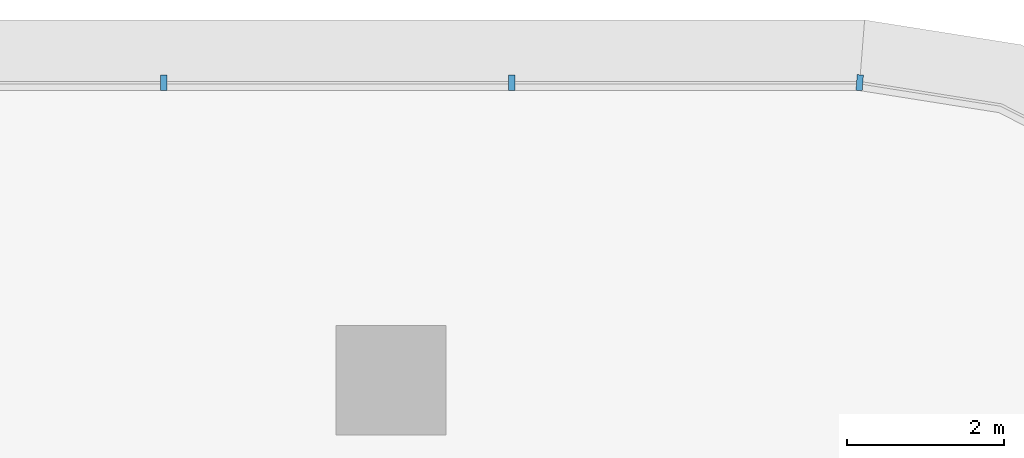
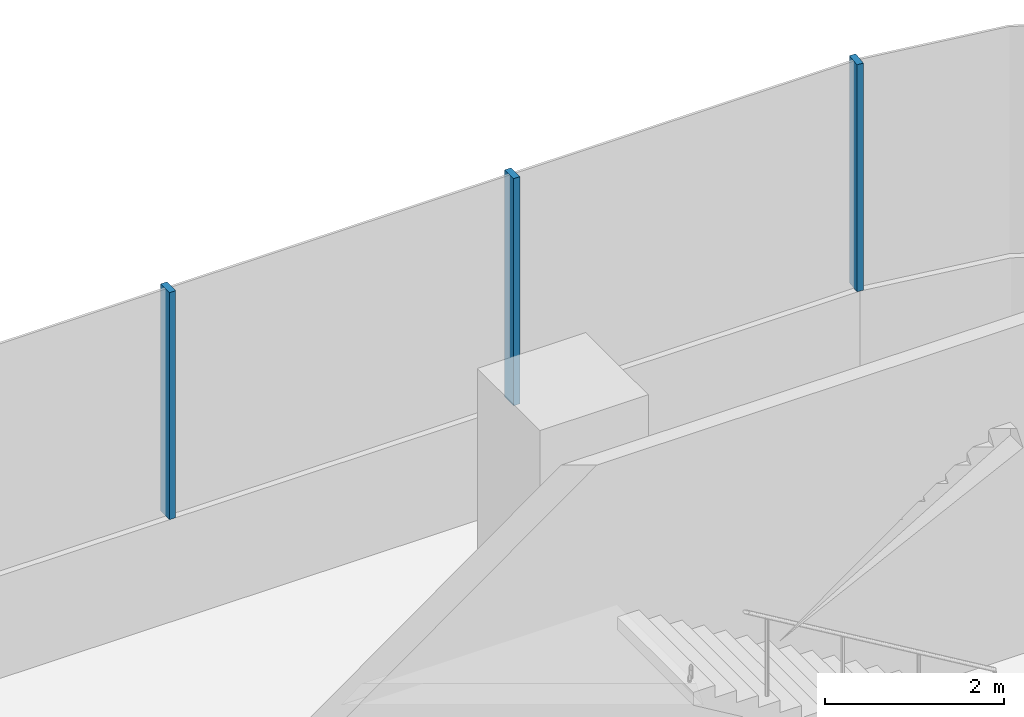
# One storey, part 15 of 44: 3 members, 1 element without a shape of its own.
"""IFC4 building model written with IfcOpenShell, lengths in metres."""

from ifc_helpers import new_model, si_unit, direction, frame, origin, origin_2d, place, context, subcontext, project, spatial, rectangle, extrude, material, layer, layer_set, material_profile, profile_set, type_object, element, aggregate, save


model = new_model("IFC4")

# Units and contexts
model_context = context("Model", 3, precision=1e-05, world=origin(), true_north=direction((0.0, 1.0)))
body_context = subcontext(model_context, "Body", "Model", "MODEL_VIEW")
ifc_project = project(units=[si_unit("LENGTHUNIT", "METRE"), si_unit("AREAUNIT", "SQUARE_METRE"), si_unit("VOLUMEUNIT", "CUBIC_METRE"), si_unit("PLANEANGLEUNIT", "RADIAN"), si_unit("MASSUNIT", "GRAM", prefix="KILO")], contexts=[model_context])

# Site, building, storey
site_placement = place(None, origin())
site = spatial("IfcSite", under=ifc_project, at=site_placement, CompositionType="ELEMENT")
building_placement = place(site_placement, origin())
building = spatial("IfcBuilding", under=site, at=building_placement, Name="Tamarind Cross Interchange Tower", CompositionType="ELEMENT")
storey_placement = place(building_placement, frame((0.0, 0.0, 15.0)))
storey = spatial("IfcBuildingStorey", under=building, at=storey_placement, Name="L02", CompositionType="ELEMENT", Elevation=15.0)

# Curtain wall, members
ifc_material = material(Name="Aluminium 6063-T6", Category="aluminium")
ifc_layer = layer(ifc_material, 0.199951171875)
ifc_layer_set = layer_set([ifc_layer], Name="Aluminium 6063-T6")
curtain_wall_type = type_object("IfcCurtainWallType", Name="Podium shopfront and station curtain wall", PredefinedType="NOTDEFINED", material=ifc_layer_set)
curtain_wall_placement = place(storey_placement, origin())
curtain_wall = element("IfcCurtainWall", 1, at=curtain_wall_placement, inside=storey, type_object=curtain_wall_type, Name="CWS-L02-02", PredefinedType="NOTDEFINED")
ifc_material_profile = material_profile(ifc_material, rectangle(XDim=0.080078125, YDim=0.199951171875, at=origin_2d()), Name="Mullion CW3")
ifc_profile_set = profile_set([ifc_material_profile], Name="Aluminium 6063-T6")
member_type = type_object("IfcMemberType", Name="Mullion CW3", PredefinedType="MULLION", material=ifc_profile_set)
member_1_placement = place(storey_placement, frame((59.984375, 57.800048828125, 1.39990234375), z_axis=(0.0, 0.0, 1.0), x_axis=(-0.996917333733, 0.078459095728, 0.0)))
member_1 = element("IfcMember", 2, at=member_1_placement, type_object=member_type, Name="CWM-L02-02-00", PredefinedType="MULLION", context=body_context, shape_type="SweptSolid", body=[
    extrude(rectangle(XDim=0.080078125, YDim=0.199951171875, at=origin_2d()), origin(), (0.0, 0.0, 1.0), 3.10009765625),
])
member_2_placement = place(storey_placement, frame((55.541015625, 57.800048828125, 1.39990234375), z_axis=(0.0, 0.0, 1.0), x_axis=(-1.0, 0.0, 0.0)))
member_2 = element("IfcMember", 3, at=member_2_placement, type_object=member_type, Name="CWM-L02-02-01", PredefinedType="MULLION", context=body_context, shape_type="SweptSolid", body=[
    extrude(rectangle(XDim=0.080078125, YDim=0.199951171875, at=origin_2d()), origin(), (0.0, 0.0, 1.0), 3.10009765625),
])
member_3_placement = place(storey_placement, frame((51.09765625, 57.800048828125, 1.39990234375), z_axis=(0.0, 0.0, 1.0), x_axis=(-1.0, 0.0, 0.0)))
member_3 = element("IfcMember", 4, at=member_3_placement, type_object=member_type, Name="CWM-L02-02-02", PredefinedType="MULLION", context=body_context, shape_type="SweptSolid", body=[
    extrude(rectangle(XDim=0.080078125, YDim=0.199951171875, at=origin_2d()), origin(), (0.0, 0.0, 1.0), 3.10009765625),
])
aggregate(curtain_wall, [member_1, member_2, member_3])

save(model, "model.ifc")
